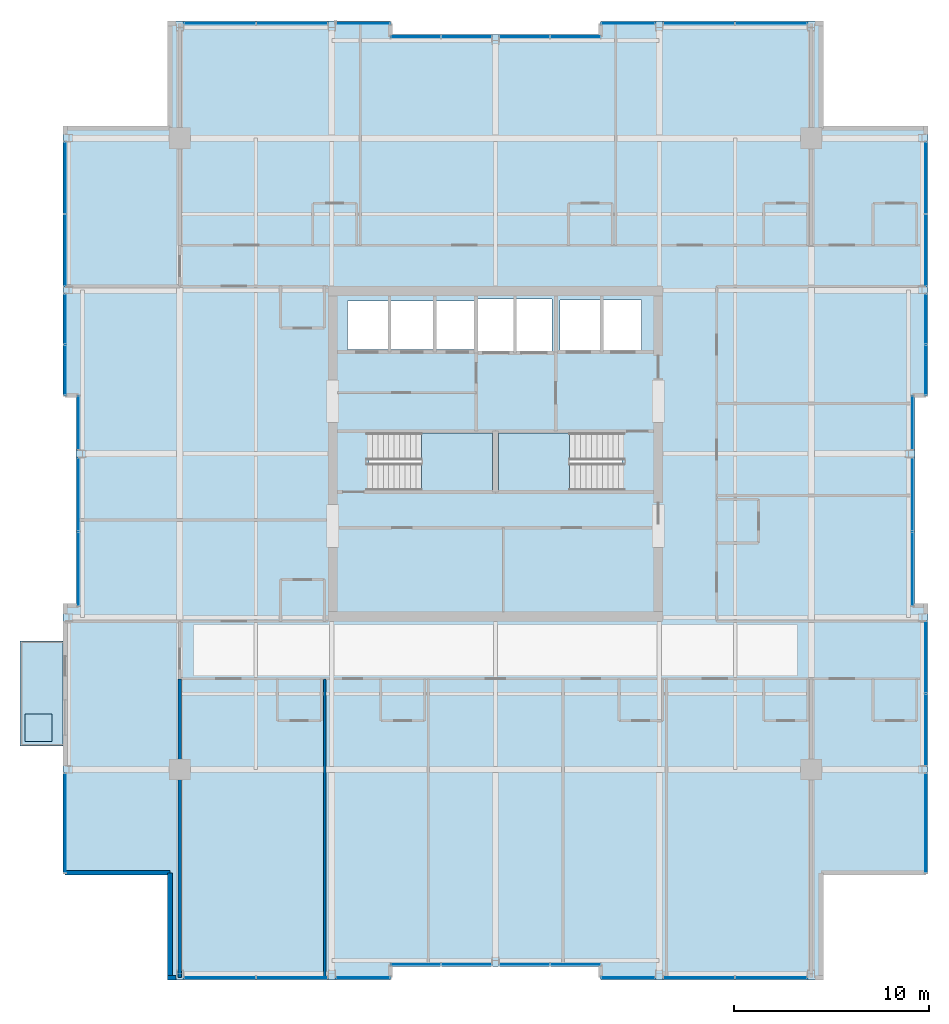
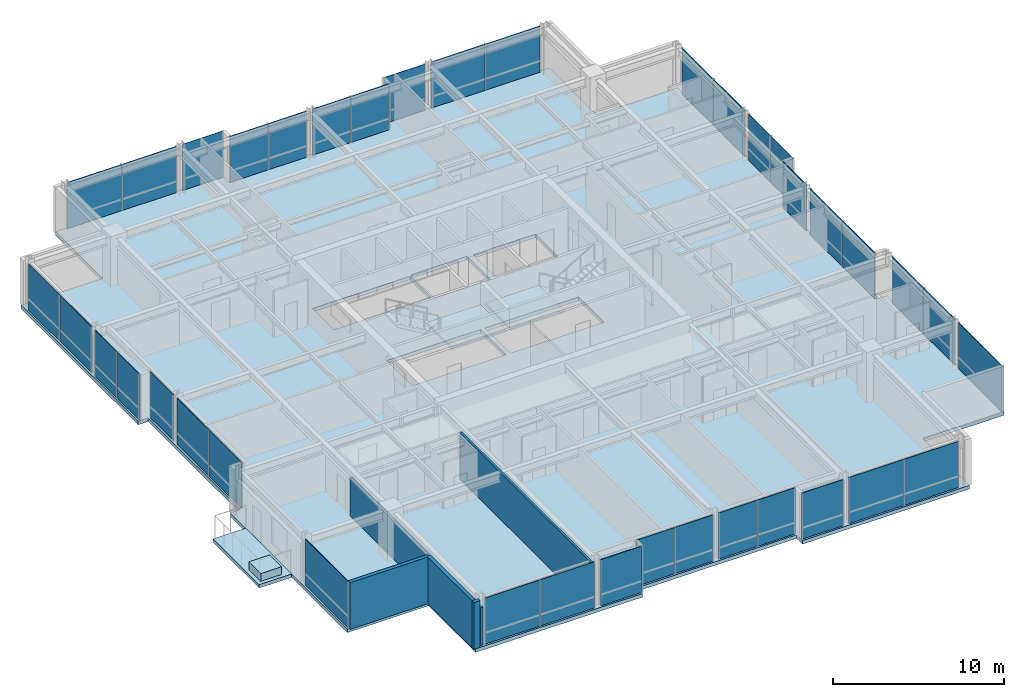
# One storey, part 25 of 31: 38 plates, 5 slabs, 5 walls, 25 elements without a shape of their own.
"""IFC4 building model written with IfcOpenShell, lengths in metres."""

from ifc_helpers import new_model, si_unit, direction, frame, frame_2d, origin, origin_2d, place, context, subcontext, project, spatial, polyline, rectangle, outline, extrude, material, layer, layer_set, type_object, element, aggregate, save


model = new_model("IFC4")

# Units and contexts
model_context = context("Model", 3, precision=1e-05, world=origin(), true_north=direction((0.0, 1.0)))
body_context = subcontext(model_context, "Body", "Model", "MODEL_VIEW")
ifc_project = project(units=[si_unit("LENGTHUNIT", "METRE"), si_unit("AREAUNIT", "SQUARE_METRE"), si_unit("VOLUMEUNIT", "CUBIC_METRE"), si_unit("PLANEANGLEUNIT", "RADIAN"), si_unit("MASSUNIT", "GRAM", prefix="KILO")], contexts=[model_context])

# Site, building, storey
site_placement = place(None, origin())
site = spatial("IfcSite", under=ifc_project, at=site_placement, CompositionType="ELEMENT")
building_placement = place(site_placement, origin())
building = spatial("IfcBuilding", under=site, at=building_placement, Name="Drelvath Grand Hotel", CompositionType="ELEMENT")
storey_placement = place(building_placement, frame((0.0, 0.0, 230.300048828125)))
storey = spatial("IfcBuildingStorey", under=building, at=storey_placement, Name="L60", CompositionType="ELEMENT", Elevation=230.300048828125)

# Slabs
ifc_material_1 = material(Name="Concrete f'c 40 MPa", Category="concrete")
ifc_layer_1 = layer(ifc_material_1, 0.239990234375)
ifc_layer_set_1 = layer_set([ifc_layer_1], Name="Concrete f'c 40 MPa")
slab_type_1 = type_object("IfcSlabType", Name="Cantilevered Tree Balcony Slab 240", PredefinedType="FLOOR", material=ifc_layer_set_1)
slab_1_placement = place(storey_placement, frame((0.0, 0.0, -0.239990234375)))
element("IfcSlab", 1, at=slab_1_placement, inside=storey, type_object=slab_type_1, Name="L60 Cantilevered Tree Balcony Slab 1", PredefinedType="FLOOR", context=body_context, shape_type="SweptSolid", body=[
    extrude(outline(polyline([(-24.39990234375, 12.0), (-22.199951171875, 12.0), (-22.199951171875, 17.39990234375), (-24.39990234375, 17.39990234375), (-24.39990234375, 12.0)])), origin(), (0.0, 0.0, 1.0), 0.239990234375),
])
ifc_layer_2 = layer(ifc_material_1, 0.260009765625)
ifc_layer_set_2 = layer_set([ifc_layer_2], Name="Concrete f'c 40 MPa")
slab_type_2 = type_object("IfcSlabType", Name="Composite RC Floor Slab 260", PredefinedType="FLOOR", material=ifc_layer_set_2)
slab_2_placement = place(storey_placement, frame((0.0, 0.0, -0.260009765625)))
element("IfcSlab", 2, at=slab_2_placement, inside=storey, type_object=slab_type_2, Name="L60 Structural Floor Slab", PredefinedType="FLOOR", context=body_context, shape_type="SweptSolid", body=[
    extrude(outline(polyline([(-16.699951171875, 0.0), (-5.39990234375, 0.0), (-5.39990234375, 0.679931640625), (5.39990234375, 0.679931640625), (5.39990234375, 0.0), (16.699951171875, 0.0), (16.699951171875, 5.5), (22.199951171875, 5.5), (22.199951171875, 19.199951171875), (21.52001953125, 19.199951171875), (21.52001953125, 30.0), (22.199951171875, 30.0), (22.199951171875, 43.699951171875), (16.699951171875, 43.699951171875), (16.699951171875, 49.199951171875), (5.39990234375, 49.199951171875), (5.39990234375, 48.52001953125), (-5.39990234375, 48.52001953125), (-5.39990234375, 49.199951171875), (-16.699951171875, 49.199951171875), (-16.699951171875, 43.699951171875), (-22.199951171875, 43.699951171875), (-22.199951171875, 30.0), (-21.52001953125, 30.0), (-21.52001953125, 19.199951171875), (-22.199951171875, 19.199951171875), (-22.199951171875, 5.5), (-16.699951171875, 5.5), (-16.699951171875, 0.0)]), holes=[polyline([(-6.47998046875, 25.1201171875), (-6.47998046875, 28.080078125), (-0.14990234375, 28.080078125), (-0.14990234375, 25.1201171875), (-6.47998046875, 25.1201171875)]), polyline([(0.14990234375, 25.1201171875), (0.14990234375, 28.080078125), (6.47998046875, 28.080078125), (6.47998046875, 25.1201171875), (0.14990234375, 25.1201171875)]), polyline([(-7.60009765625, 32.35009765625), (-7.60009765625, 34.85009765625), (-1.02001953125, 34.85009765625), (-1.02001953125, 32.35009765625), (-7.60009765625, 32.35009765625)]), polyline([(-0.89990234375, 32.25), (-0.89990234375, 34.949951171875), (2.89990234375, 34.949951171875), (2.89990234375, 32.25), (-0.89990234375, 32.25)]), polyline([(3.300048828125, 32.300048828125), (3.300048828125, 34.89990234375), (7.5, 34.89990234375), (7.5, 32.300048828125), (3.300048828125, 32.300048828125)])]), origin(), (0.0, 0.0, 1.0), 0.260009765625),
])

# Stair, slab
ifc_material_2 = material(Name="Concrete C40/50", Category="concrete")
stair_type = type_object("IfcStairType", Name="Dogleg Exit Stair W1400-R163.6", PredefinedType="HALF_TURN_STAIR", material=ifc_material_2)
stair_1_placement = place(storey_placement, origin())
stair_1 = element("IfcStair", 3, at=stair_1_placement, inside=storey, type_object=stair_type, Name="L60 Core Exit Stair ST-1", PredefinedType="HALF_TURN_STAIR")
ifc_layer_3 = layer(ifc_material_2, 0.199951171875)
ifc_layer_set_3 = layer_set([ifc_layer_3], Name="Concrete C40/50")
slab_type_3 = type_object("IfcSlabType", Name="Concrete Stair Landing Slab 200", PredefinedType="LANDING", material=ifc_layer_set_3)
slab_3_placement = place(storey_placement, frame((0.0, 0.0, 1.599853515625)))
slab_3 = element("IfcSlab", 4, at=slab_3_placement, type_object=slab_type_3, Name="ST-1 landing 1", PredefinedType="LANDING", context=body_context, shape_type="SweptSolid", body=[
    extrude(outline(polyline([(-3.800048828125, 25.1201171875), (-0.14990234375, 25.1201171875), (-0.14990234375, 28.080078125), (-3.800048828125, 28.080078125), (-3.800048828125, 25.1201171875)])), origin(), (0.0, 0.0, 1.0), 0.2001953125),
])
aggregate(stair_1, [slab_3])

stair_2_placement = place(storey_placement, origin())
stair_2 = element("IfcStair", 5, at=stair_2_placement, inside=storey, type_object=stair_type, Name="L60 Core Exit Stair ST-2", PredefinedType="HALF_TURN_STAIR")
slab_4_placement = place(storey_placement, frame((0.0, 0.0, 1.599853515625)))
slab_4 = element("IfcSlab", 6, at=slab_4_placement, type_object=slab_type_3, Name="ST-2 landing 1", PredefinedType="LANDING", context=body_context, shape_type="SweptSolid", body=[
    extrude(outline(polyline([(3.800048828125, 28.080078125), (0.14990234375, 28.080078125), (0.14990234375, 25.1201171875), (3.800048828125, 25.1201171875), (3.800048828125, 28.080078125)])), origin(), (0.0, 0.0, 1.0), 0.2001953125),
])
aggregate(stair_2, [slab_4])

# Curtain wall, plate
ifc_material_3 = material(Name="Platinum-Mist Anodised Aluminium Frame", Category="aluminium")
ifc_layer_4 = layer(ifc_material_3, 0.199951171875)
ifc_layer_set_4 = layer_set([ifc_layer_4], Name="Platinum-Mist Anodised Aluminium Frame")
curtain_wall_type = type_object("IfcCurtainWallType", Name="Stick Curtain Wall CW-05 Platinum Mist High-Rise", PredefinedType="NOTDEFINED", material=ifc_layer_set_4)
curtain_wall_1_placement = place(storey_placement, origin())
curtain_wall_1 = element("IfcCurtainWall", 7, at=curtain_wall_1_placement, inside=storey, type_object=curtain_wall_type, Name="L60 CW-05 Curtain Wall CW05-L60-WS1", PredefinedType="NOTDEFINED")
ifc_material_4 = material(Name="Low-E Triple Silver High-Altitude Glass", Category="glass")
ifc_layer_5 = layer(ifc_material_4, 0.035888671875)
ifc_layer_set_5 = layer_set([ifc_layer_5], Name="Low-E Triple Silver High-Altitude Glass")
plate_type = type_object("IfcPlateType", Name="Curtain Wall Vision Panel CW-05 36mm", PredefinedType="CURTAIN_PANEL", material=ifc_layer_set_5)
plate_1_placement = place(storey_placement, frame((-22.080078125, 8.057373046875, 0.02001953125), z_axis=(0.0, 0.0, 1.0), x_axis=(0.0, 1.0, 0.0)))
plate_1 = element("IfcPlate", 8, at=plate_1_placement, type_object=plate_type, Name="CW05-L60-WS1 Glazed Panel 1", PredefinedType="CURTAIN_PANEL", context=body_context, shape_type="SweptSolid", body=[
    extrude(rectangle(XDim=5.07470703125, YDim=0.035888671875, at=origin_2d()), origin(), (0.0, 0.0, 1.0), 3.300048828125),
])
aggregate(curtain_wall_1, [plate_1])

# Curtain wall, plates
curtain_wall_2_placement = place(storey_placement, origin())
curtain_wall_2 = element("IfcCurtainWall", 9, at=curtain_wall_2_placement, inside=storey, type_object=curtain_wall_type, Name="L60 CW-05 Curtain Wall CW05-L60-WM1", PredefinedType="NOTDEFINED")
plate_2_placement = place(storey_placement, frame((-21.39990234375, 21.103759765625, 0.02001953125), z_axis=(0.0, 0.0, 1.0), x_axis=(0.0, 1.0, 0.0)))
plate_2 = element("IfcPlate", 10, at=plate_2_placement, type_object=plate_type, Name="CW05-L60-WM1 Glazed Panel 1", PredefinedType="CURTAIN_PANEL", context=body_context, shape_type="SweptSolid", body=[
    extrude(rectangle(XDim=3.767333984375, YDim=0.035888671875, at=origin_2d()), origin(), (0.0, 0.0, 1.0), 3.300048828125),
])
plate_3_placement = place(storey_placement, frame((-21.39990234375, 24.910888671875, 0.02001953125), z_axis=(0.0, 0.0, 1.0), x_axis=(0.0, 1.0, 0.0)))
plate_3 = element("IfcPlate", 11, at=plate_3_placement, type_object=plate_type, Name="CW05-L60-WM1 Glazed Panel 2", PredefinedType="CURTAIN_PANEL", context=body_context, shape_type="SweptSolid", body=[
    extrude(rectangle(XDim=3.767333984375, YDim=0.035888671875, at=origin_2d()), origin(), (0.0, 0.0, 1.0), 3.300048828125),
])
aggregate(curtain_wall_2, [plate_2, plate_3])

# Curtain wall, plate
curtain_wall_3_placement = place(storey_placement, origin())
curtain_wall_3 = element("IfcCurtainWall", 12, at=curtain_wall_3_placement, inside=storey, type_object=curtain_wall_type, Name="L60 CW-05 Curtain Wall CW05-L60-WM2", PredefinedType="NOTDEFINED")
plate_4_placement = place(storey_placement, frame((-21.39990234375, 28.592529296875, 0.02001953125), z_axis=(0.0, 0.0, 1.0), x_axis=(0.0, 1.0, 0.0)))
plate_4 = element("IfcPlate", 13, at=plate_4_placement, type_object=plate_type, Name="CW05-L60-WM2 Glazed Panel 1", PredefinedType="CURTAIN_PANEL", context=body_context, shape_type="SweptSolid", body=[
    extrude(rectangle(XDim=2.774658203125, YDim=0.035888671875, at=origin_2d()), origin(), (0.0, 0.0, 1.0), 3.300048828125),
])
aggregate(curtain_wall_3, [plate_4])

# Curtain wall, plates
curtain_wall_4_placement = place(storey_placement, origin())
curtain_wall_4 = element("IfcCurtainWall", 14, at=curtain_wall_4_placement, inside=storey, type_object=curtain_wall_type, Name="L60 CW-05 Curtain Wall CW05-L60-WN1", PredefinedType="NOTDEFINED")
plate_5_placement = place(storey_placement, frame((-22.080078125, 31.3037109375, 0.02001953125), z_axis=(0.0, 0.0, 1.0), x_axis=(0.0, 1.0, 0.0)))
plate_5 = element("IfcPlate", 15, at=plate_5_placement, type_object=plate_type, Name="CW05-L60-WN1 Glazed Panel 1", PredefinedType="CURTAIN_PANEL", context=body_context, shape_type="SweptSolid", body=[
    extrude(rectangle(XDim=2.5673828125, YDim=0.035888671875, at=origin_2d()), origin(), (0.0, 0.0, 1.0), 3.300048828125),
])
plate_6_placement = place(storey_placement, frame((-22.080078125, 33.9111328125, 0.02001953125), z_axis=(0.0, 0.0, 1.0), x_axis=(0.0, 1.0, 0.0)))
plate_6 = element("IfcPlate", 16, at=plate_6_placement, type_object=plate_type, Name="CW05-L60-WN1 Glazed Panel 2", PredefinedType="CURTAIN_PANEL", context=body_context, shape_type="SweptSolid", body=[
    extrude(rectangle(XDim=2.5673828125, YDim=0.035888671875, at=origin_2d()), origin(), (0.0, 0.0, 1.0), 3.300048828125),
])
aggregate(curtain_wall_4, [plate_5, plate_6])

curtain_wall_5_placement = place(storey_placement, origin())
curtain_wall_5 = element("IfcCurtainWall", 17, at=curtain_wall_5_placement, inside=storey, type_object=curtain_wall_type, Name="L60 CW-05 Curtain Wall CW05-L60-WN2", PredefinedType="NOTDEFINED")
plate_7_placement = place(storey_placement, frame((-22.080078125, 37.442626953125, 0.02001953125), z_axis=(0.0, 0.0, 1.0), x_axis=(0.0, 1.0, 0.0)))
plate_7 = element("IfcPlate", 18, at=plate_7_placement, type_object=plate_type, Name="CW05-L60-WN2 Glazed Panel 1", PredefinedType="CURTAIN_PANEL", context=body_context, shape_type="SweptSolid", body=[
    extrude(rectangle(XDim=3.6748046875, YDim=0.035888671875, at=origin_2d()), origin(), (0.0, 0.0, 1.0), 3.300048828125),
])
plate_8_placement = place(storey_placement, frame((-22.080078125, 41.157470703125, 0.02001953125), z_axis=(0.0, 0.0, 1.0), x_axis=(0.0, 1.0, 0.0)))
plate_8 = element("IfcPlate", 19, at=plate_8_placement, type_object=plate_type, Name="CW05-L60-WN2 Glazed Panel 2", PredefinedType="CURTAIN_PANEL", context=body_context, shape_type="SweptSolid", body=[
    extrude(rectangle(XDim=3.6748046875, YDim=0.035888671875, at=origin_2d()), origin(), (0.0, 0.0, 1.0), 3.300048828125),
])
aggregate(curtain_wall_5, [plate_7, plate_8])

curtain_wall_6_placement = place(storey_placement, origin())
curtain_wall_6 = element("IfcCurtainWall", 20, at=curtain_wall_6_placement, inside=storey, type_object=curtain_wall_type, Name="L60 CW-05 Curtain Wall CW05-L60-EN1", PredefinedType="NOTDEFINED")
plate_9_placement = place(storey_placement, frame((22.080078125, 33.9111328125, 0.02001953125), z_axis=(0.0, 0.0, 1.0), x_axis=(0.0, -1.0, 0.0)))
plate_9 = element("IfcPlate", 21, at=plate_9_placement, type_object=plate_type, Name="CW05-L60-EN1 Glazed Panel 1", PredefinedType="CURTAIN_PANEL", context=body_context, shape_type="SweptSolid", body=[
    extrude(rectangle(XDim=2.5673828125, YDim=0.035888671875, at=origin_2d()), origin(), (0.0, 0.0, 1.0), 3.300048828125),
])
plate_10_placement = place(storey_placement, frame((22.080078125, 31.3037109375, 0.02001953125), z_axis=(0.0, 0.0, 1.0), x_axis=(0.0, -1.0, 0.0)))
plate_10 = element("IfcPlate", 22, at=plate_10_placement, type_object=plate_type, Name="CW05-L60-EN1 Glazed Panel 2", PredefinedType="CURTAIN_PANEL", context=body_context, shape_type="SweptSolid", body=[
    extrude(rectangle(XDim=2.5673828125, YDim=0.035888671875, at=origin_2d()), origin(), (0.0, 0.0, 1.0), 3.300048828125),
])
aggregate(curtain_wall_6, [plate_9, plate_10])

curtain_wall_7_placement = place(storey_placement, origin())
curtain_wall_7 = element("IfcCurtainWall", 23, at=curtain_wall_7_placement, inside=storey, type_object=curtain_wall_type, Name="L60 CW-05 Curtain Wall CW05-L60-EN2", PredefinedType="NOTDEFINED")
plate_11_placement = place(storey_placement, frame((22.080078125, 41.157470703125, 0.02001953125), z_axis=(0.0, 0.0, 1.0), x_axis=(0.0, -1.0, 0.0)))
plate_11 = element("IfcPlate", 24, at=plate_11_placement, type_object=plate_type, Name="CW05-L60-EN2 Glazed Panel 1", PredefinedType="CURTAIN_PANEL", context=body_context, shape_type="SweptSolid", body=[
    extrude(rectangle(XDim=3.6748046875, YDim=0.035888671875, at=origin_2d()), origin(), (0.0, 0.0, 1.0), 3.300048828125),
])
plate_12_placement = place(storey_placement, frame((22.080078125, 37.442626953125, 0.02001953125), z_axis=(0.0, 0.0, 1.0), x_axis=(0.0, -1.0, 0.0)))
plate_12 = element("IfcPlate", 25, at=plate_12_placement, type_object=plate_type, Name="CW05-L60-EN2 Glazed Panel 2", PredefinedType="CURTAIN_PANEL", context=body_context, shape_type="SweptSolid", body=[
    extrude(rectangle(XDim=3.6748046875, YDim=0.035888671875, at=origin_2d()), origin(), (0.0, 0.0, 1.0), 3.300048828125),
])
aggregate(curtain_wall_7, [plate_11, plate_12])

curtain_wall_8_placement = place(storey_placement, origin())
curtain_wall_8 = element("IfcCurtainWall", 26, at=curtain_wall_8_placement, inside=storey, type_object=curtain_wall_type, Name="L60 CW-05 Curtain Wall CW05-L60-EM1", PredefinedType="NOTDEFINED")
plate_13_placement = place(storey_placement, frame((21.39990234375, 24.910888671875, 0.02001953125), z_axis=(0.0, 0.0, 1.0), x_axis=(0.0, -1.0, 0.0)))
plate_13 = element("IfcPlate", 27, at=plate_13_placement, type_object=plate_type, Name="CW05-L60-EM1 Glazed Panel 1", PredefinedType="CURTAIN_PANEL", context=body_context, shape_type="SweptSolid", body=[
    extrude(rectangle(XDim=3.767333984375, YDim=0.035888671875, at=origin_2d()), origin(), (0.0, 0.0, 1.0), 3.300048828125),
])
plate_14_placement = place(storey_placement, frame((21.39990234375, 21.103759765625, 0.02001953125), z_axis=(0.0, 0.0, 1.0), x_axis=(0.0, -1.0, 0.0)))
plate_14 = element("IfcPlate", 28, at=plate_14_placement, type_object=plate_type, Name="CW05-L60-EM1 Glazed Panel 2", PredefinedType="CURTAIN_PANEL", context=body_context, shape_type="SweptSolid", body=[
    extrude(rectangle(XDim=3.767333984375, YDim=0.035888671875, at=origin_2d()), origin(), (0.0, 0.0, 1.0), 3.300048828125),
])
aggregate(curtain_wall_8, [plate_13, plate_14])

# Curtain wall, plate
curtain_wall_9_placement = place(storey_placement, origin())
curtain_wall_9 = element("IfcCurtainWall", 29, at=curtain_wall_9_placement, inside=storey, type_object=curtain_wall_type, Name="L60 CW-05 Curtain Wall CW05-L60-EM2", PredefinedType="NOTDEFINED")
plate_15_placement = place(storey_placement, frame((21.39990234375, 28.592529296875, 0.02001953125), z_axis=(0.0, 0.0, 1.0), x_axis=(0.0, -1.0, 0.0)))
plate_15 = element("IfcPlate", 30, at=plate_15_placement, type_object=plate_type, Name="CW05-L60-EM2 Glazed Panel 1", PredefinedType="CURTAIN_PANEL", context=body_context, shape_type="SweptSolid", body=[
    extrude(rectangle(XDim=2.774658203125, YDim=0.035888671875, at=origin_2d()), origin(), (0.0, 0.0, 1.0), 3.300048828125),
])
aggregate(curtain_wall_9, [plate_15])

curtain_wall_10_placement = place(storey_placement, origin())
curtain_wall_10 = element("IfcCurtainWall", 31, at=curtain_wall_10_placement, inside=storey, type_object=curtain_wall_type, Name="L60 CW-05 Curtain Wall CW05-L60-ES1", PredefinedType="NOTDEFINED")
plate_16_placement = place(storey_placement, frame((22.080078125, 8.057373046875, 0.02001953125), z_axis=(0.0, 0.0, 1.0), x_axis=(0.0, -1.0, 0.0)))
plate_16 = element("IfcPlate", 32, at=plate_16_placement, type_object=plate_type, Name="CW05-L60-ES1 Glazed Panel 1", PredefinedType="CURTAIN_PANEL", context=body_context, shape_type="SweptSolid", body=[
    extrude(rectangle(XDim=5.07470703125, YDim=0.035888671875, at=origin_2d()), origin(), (0.0, 0.0, 1.0), 3.300048828125),
])
aggregate(curtain_wall_10, [plate_16])

# Curtain wall, plates
curtain_wall_11_placement = place(storey_placement, origin())
curtain_wall_11 = element("IfcCurtainWall", 33, at=curtain_wall_11_placement, inside=storey, type_object=curtain_wall_type, Name="L60 CW-05 Curtain Wall CW05-L60-ES2", PredefinedType="NOTDEFINED")
plate_17_placement = place(storey_placement, frame((22.080078125, 16.557373046875, 0.02001953125), z_axis=(0.0, 0.0, 1.0), x_axis=(0.0, -1.0, 0.0)))
plate_17 = element("IfcPlate", 34, at=plate_17_placement, type_object=plate_type, Name="CW05-L60-ES2 Glazed Panel 1", PredefinedType="CURTAIN_PANEL", context=body_context, shape_type="SweptSolid", body=[
    extrude(rectangle(XDim=3.6748046875, YDim=0.035888671875, at=origin_2d()), origin(), (0.0, 0.0, 1.0), 3.300048828125),
])
plate_18_placement = place(storey_placement, frame((22.080078125, 12.842529296875, 0.02001953125), z_axis=(0.0, 0.0, 1.0), x_axis=(0.0, -1.0, 0.0)))
plate_18 = element("IfcPlate", 35, at=plate_18_placement, type_object=plate_type, Name="CW05-L60-ES2 Glazed Panel 2", PredefinedType="CURTAIN_PANEL", context=body_context, shape_type="SweptSolid", body=[
    extrude(rectangle(XDim=3.6748046875, YDim=0.035888671875, at=origin_2d()), origin(), (0.0, 0.0, 1.0), 3.300048828125),
])
aggregate(curtain_wall_11, [plate_17, plate_18])

curtain_wall_12_placement = place(storey_placement, origin())
curtain_wall_12 = element("IfcCurtainWall", 36, at=curtain_wall_12_placement, inside=storey, type_object=curtain_wall_type, Name="L60 CW-05 Curtain Wall CW05-L60-NW2", PredefinedType="NOTDEFINED")
plate_19_placement = place(storey_placement, frame((-14.157470703125, 49.080078125, 0.02001953125), z_axis=(0.0, 0.0, 1.0), x_axis=(1.0, 0.0, 0.0)))
plate_19 = element("IfcPlate", 37, at=plate_19_placement, type_object=plate_type, Name="CW05-L60-NW2 Glazed Panel 1", PredefinedType="CURTAIN_PANEL", context=body_context, shape_type="SweptSolid", body=[
    extrude(rectangle(XDim=3.6748046875, YDim=0.035888671875, at=origin_2d()), origin(), (0.0, 0.0, 1.0), 3.300048828125),
])
plate_20_placement = place(storey_placement, frame((-10.442626953125, 49.080078125, 0.02001953125), z_axis=(0.0, 0.0, 1.0), x_axis=(1.0, 0.0, 0.0)))
plate_20 = element("IfcPlate", 38, at=plate_20_placement, type_object=plate_type, Name="CW05-L60-NW2 Glazed Panel 2", PredefinedType="CURTAIN_PANEL", context=body_context, shape_type="SweptSolid", body=[
    extrude(rectangle(XDim=3.6748046875, YDim=0.035888671875, at=origin_2d()), origin(), (0.0, 0.0, 1.0), 3.300048828125),
])
aggregate(curtain_wall_12, [plate_19, plate_20])

# Curtain wall, plate
curtain_wall_13_placement = place(storey_placement, origin())
curtain_wall_13 = element("IfcCurtainWall", 39, at=curtain_wall_13_placement, inside=storey, type_object=curtain_wall_type, Name="L60 CW-05 Curtain Wall CW05-L60-NW3", PredefinedType="NOTDEFINED")
plate_21_placement = place(storey_placement, frame((-6.807373046875, 49.080078125, 0.02001953125), z_axis=(0.0, 0.0, 1.0), x_axis=(1.0, 0.0, 0.0)))
plate_21 = element("IfcPlate", 40, at=plate_21_placement, type_object=plate_type, Name="CW05-L60-NW3 Glazed Panel 1", PredefinedType="CURTAIN_PANEL", context=body_context, shape_type="SweptSolid", body=[
    extrude(rectangle(XDim=2.774658203125, YDim=0.035888671875, at=origin_2d()), origin(), (0.0, 0.0, 1.0), 3.300048828125),
])
aggregate(curtain_wall_13, [plate_21])

# Curtain wall, plates
curtain_wall_14_placement = place(storey_placement, origin())
curtain_wall_14 = element("IfcCurtainWall", 41, at=curtain_wall_14_placement, inside=storey, type_object=curtain_wall_type, Name="L60 CW-05 Curtain Wall CW05-L60-NM1", PredefinedType="NOTDEFINED")
plate_22_placement = place(storey_placement, frame((-4.096435546875, 48.39990234375, 0.02001953125), z_axis=(0.0, 0.0, 1.0), x_axis=(1.0, 0.0, 0.0)))
plate_22 = element("IfcPlate", 42, at=plate_22_placement, type_object=plate_type, Name="CW05-L60-NM1 Glazed Panel 1", PredefinedType="CURTAIN_PANEL", context=body_context, shape_type="SweptSolid", body=[
    extrude(rectangle(XDim=2.5673828125, YDim=0.035888671875, at=origin_2d()), origin(), (0.0, 0.0, 1.0), 3.300048828125),
])
plate_23_placement = place(storey_placement, frame((-1.489013671875, 48.39990234375, 0.02001953125), z_axis=(0.0, 0.0, 1.0), x_axis=(1.0, 0.0, 0.0)))
plate_23 = element("IfcPlate", 43, at=plate_23_placement, type_object=plate_type, Name="CW05-L60-NM1 Glazed Panel 2", PredefinedType="CURTAIN_PANEL", context=body_context, shape_type="SweptSolid", body=[
    extrude(rectangle(XDim=2.5673828125, YDim=0.035888671875, at=origin_2d()), origin(), (0.0, 0.0, 1.0), 3.300048828125),
])
aggregate(curtain_wall_14, [plate_22, plate_23])

curtain_wall_15_placement = place(storey_placement, origin())
curtain_wall_15 = element("IfcCurtainWall", 44, at=curtain_wall_15_placement, inside=storey, type_object=curtain_wall_type, Name="L60 CW-05 Curtain Wall CW05-L60-NM2", PredefinedType="NOTDEFINED")
plate_24_placement = place(storey_placement, frame((1.489013671875, 48.39990234375, 0.02001953125), z_axis=(0.0, 0.0, 1.0), x_axis=(1.0, 0.0, 0.0)))
plate_24 = element("IfcPlate", 45, at=plate_24_placement, type_object=plate_type, Name="CW05-L60-NM2 Glazed Panel 1", PredefinedType="CURTAIN_PANEL", context=body_context, shape_type="SweptSolid", body=[
    extrude(rectangle(XDim=2.5673828125, YDim=0.035888671875, at=origin_2d()), origin(), (0.0, 0.0, 1.0), 3.300048828125),
])
plate_25_placement = place(storey_placement, frame((4.096435546875, 48.39990234375, 0.02001953125), z_axis=(0.0, 0.0, 1.0), x_axis=(1.0, 0.0, 0.0)))
plate_25 = element("IfcPlate", 46, at=plate_25_placement, type_object=plate_type, Name="CW05-L60-NM2 Glazed Panel 2", PredefinedType="CURTAIN_PANEL", context=body_context, shape_type="SweptSolid", body=[
    extrude(rectangle(XDim=2.5673828125, YDim=0.035888671875, at=origin_2d()), origin(), (0.0, 0.0, 1.0), 3.300048828125),
])
aggregate(curtain_wall_15, [plate_24, plate_25])

# Curtain wall, plate
curtain_wall_16_placement = place(storey_placement, origin())
curtain_wall_16 = element("IfcCurtainWall", 47, at=curtain_wall_16_placement, inside=storey, type_object=curtain_wall_type, Name="L60 CW-05 Curtain Wall CW05-L60-NE1", PredefinedType="NOTDEFINED")
plate_26_placement = place(storey_placement, frame((6.807373046875, 49.080078125, 0.02001953125), z_axis=(0.0, 0.0, 1.0), x_axis=(1.0, 0.0, 0.0)))
plate_26 = element("IfcPlate", 48, at=plate_26_placement, type_object=plate_type, Name="CW05-L60-NE1 Glazed Panel 1", PredefinedType="CURTAIN_PANEL", context=body_context, shape_type="SweptSolid", body=[
    extrude(rectangle(XDim=2.774658203125, YDim=0.035888671875, at=origin_2d()), origin(), (0.0, 0.0, 1.0), 3.300048828125),
])
aggregate(curtain_wall_16, [plate_26])

# Curtain wall, plates
curtain_wall_17_placement = place(storey_placement, origin())
curtain_wall_17 = element("IfcCurtainWall", 49, at=curtain_wall_17_placement, inside=storey, type_object=curtain_wall_type, Name="L60 CW-05 Curtain Wall CW05-L60-NE2", PredefinedType="NOTDEFINED")
plate_27_placement = place(storey_placement, frame((10.442626953125, 49.080078125, 0.02001953125), z_axis=(0.0, 0.0, 1.0), x_axis=(1.0, 0.0, 0.0)))
plate_27 = element("IfcPlate", 50, at=plate_27_placement, type_object=plate_type, Name="CW05-L60-NE2 Glazed Panel 1", PredefinedType="CURTAIN_PANEL", context=body_context, shape_type="SweptSolid", body=[
    extrude(rectangle(XDim=3.6748046875, YDim=0.035888671875, at=origin_2d()), origin(), (0.0, 0.0, 1.0), 3.300048828125),
])
plate_28_placement = place(storey_placement, frame((14.157470703125, 49.080078125, 0.02001953125), z_axis=(0.0, 0.0, 1.0), x_axis=(1.0, 0.0, 0.0)))
plate_28 = element("IfcPlate", 51, at=plate_28_placement, type_object=plate_type, Name="CW05-L60-NE2 Glazed Panel 2", PredefinedType="CURTAIN_PANEL", context=body_context, shape_type="SweptSolid", body=[
    extrude(rectangle(XDim=3.6748046875, YDim=0.035888671875, at=origin_2d()), origin(), (0.0, 0.0, 1.0), 3.300048828125),
])
aggregate(curtain_wall_17, [plate_27, plate_28])

# Curtain wall, plate
curtain_wall_18_placement = place(storey_placement, origin())
curtain_wall_18 = element("IfcCurtainWall", 52, at=curtain_wall_18_placement, inside=storey, type_object=curtain_wall_type, Name="L60 CW-05 Curtain Wall CW05-L60-SE1", PredefinedType="NOTDEFINED")
plate_29_placement = place(storey_placement, frame((6.807373046875, 0.1201171875, 0.02001953125), z_axis=(0.0, 0.0, 1.0), x_axis=(-1.0, 0.0, 0.0)))
plate_29 = element("IfcPlate", 53, at=plate_29_placement, type_object=plate_type, Name="CW05-L60-SE1 Glazed Panel 1", PredefinedType="CURTAIN_PANEL", context=body_context, shape_type="SweptSolid", body=[
    extrude(rectangle(XDim=2.774658203125, YDim=0.035888671875, at=origin_2d()), origin(), (0.0, 0.0, 1.0), 3.300048828125),
])
aggregate(curtain_wall_18, [plate_29])

# Curtain wall, plates
curtain_wall_19_placement = place(storey_placement, origin())
curtain_wall_19 = element("IfcCurtainWall", 54, at=curtain_wall_19_placement, inside=storey, type_object=curtain_wall_type, Name="L60 CW-05 Curtain Wall CW05-L60-SE2", PredefinedType="NOTDEFINED")
plate_30_placement = place(storey_placement, frame((14.157470703125, 0.1201171875, 0.02001953125), z_axis=(0.0, 0.0, 1.0), x_axis=(-1.0, 0.0, 0.0)))
plate_30 = element("IfcPlate", 55, at=plate_30_placement, type_object=plate_type, Name="CW05-L60-SE2 Glazed Panel 1", PredefinedType="CURTAIN_PANEL", context=body_context, shape_type="SweptSolid", body=[
    extrude(rectangle(XDim=3.6748046875, YDim=0.035888671875, at=origin_2d()), origin(), (0.0, 0.0, 1.0), 3.300048828125),
])
plate_31_placement = place(storey_placement, frame((10.442626953125, 0.1201171875, 0.02001953125), z_axis=(0.0, 0.0, 1.0), x_axis=(-1.0, 0.0, 0.0)))
plate_31 = element("IfcPlate", 56, at=plate_31_placement, type_object=plate_type, Name="CW05-L60-SE2 Glazed Panel 2", PredefinedType="CURTAIN_PANEL", context=body_context, shape_type="SweptSolid", body=[
    extrude(rectangle(XDim=3.6748046875, YDim=0.035888671875, at=origin_2d()), origin(), (0.0, 0.0, 1.0), 3.300048828125),
])
aggregate(curtain_wall_19, [plate_30, plate_31])

curtain_wall_20_placement = place(storey_placement, origin())
curtain_wall_20 = element("IfcCurtainWall", 57, at=curtain_wall_20_placement, inside=storey, type_object=curtain_wall_type, Name="L60 CW-05 Curtain Wall CW05-L60-SM1", PredefinedType="NOTDEFINED")
plate_32_placement = place(storey_placement, frame((-1.489013671875, 0.800048828125, 0.02001953125), z_axis=(0.0, 0.0, 1.0), x_axis=(-1.0, 0.0, 0.0)))
plate_32 = element("IfcPlate", 58, at=plate_32_placement, type_object=plate_type, Name="CW05-L60-SM1 Glazed Panel 1", PredefinedType="CURTAIN_PANEL", context=body_context, shape_type="SweptSolid", body=[
    extrude(rectangle(XDim=2.5673828125, YDim=0.035888671875, at=origin_2d()), origin(), (0.0, 0.0, 1.0), 3.300048828125),
])
plate_33_placement = place(storey_placement, frame((-4.096435546875, 0.800048828125, 0.02001953125), z_axis=(0.0, 0.0, 1.0), x_axis=(-1.0, 0.0, 0.0)))
plate_33 = element("IfcPlate", 59, at=plate_33_placement, type_object=plate_type, Name="CW05-L60-SM1 Glazed Panel 2", PredefinedType="CURTAIN_PANEL", context=body_context, shape_type="SweptSolid", body=[
    extrude(rectangle(XDim=2.5673828125, YDim=0.035888671875, at=origin_2d()), origin(), (0.0, 0.0, 1.0), 3.300048828125),
])
aggregate(curtain_wall_20, [plate_32, plate_33])

curtain_wall_21_placement = place(storey_placement, origin())
curtain_wall_21 = element("IfcCurtainWall", 60, at=curtain_wall_21_placement, inside=storey, type_object=curtain_wall_type, Name="L60 CW-05 Curtain Wall CW05-L60-SM2", PredefinedType="NOTDEFINED")
plate_34_placement = place(storey_placement, frame((4.096435546875, 0.800048828125, 0.02001953125), z_axis=(0.0, 0.0, 1.0), x_axis=(-1.0, 0.0, 0.0)))
plate_34 = element("IfcPlate", 61, at=plate_34_placement, type_object=plate_type, Name="CW05-L60-SM2 Glazed Panel 1", PredefinedType="CURTAIN_PANEL", context=body_context, shape_type="SweptSolid", body=[
    extrude(rectangle(XDim=2.5673828125, YDim=0.035888671875, at=origin_2d()), origin(), (0.0, 0.0, 1.0), 3.300048828125),
])
plate_35_placement = place(storey_placement, frame((1.489013671875, 0.800048828125, 0.02001953125), z_axis=(0.0, 0.0, 1.0), x_axis=(-1.0, 0.0, 0.0)))
plate_35 = element("IfcPlate", 62, at=plate_35_placement, type_object=plate_type, Name="CW05-L60-SM2 Glazed Panel 2", PredefinedType="CURTAIN_PANEL", context=body_context, shape_type="SweptSolid", body=[
    extrude(rectangle(XDim=2.5673828125, YDim=0.035888671875, at=origin_2d()), origin(), (0.0, 0.0, 1.0), 3.300048828125),
])
aggregate(curtain_wall_21, [plate_34, plate_35])

curtain_wall_22_placement = place(storey_placement, origin())
curtain_wall_22 = element("IfcCurtainWall", 63, at=curtain_wall_22_placement, inside=storey, type_object=curtain_wall_type, Name="L60 CW-05 Curtain Wall CW05-L60-SW2", PredefinedType="NOTDEFINED")
plate_36_placement = place(storey_placement, frame((-10.442626953125, 0.1201171875, 0.02001953125), z_axis=(0.0, 0.0, 1.0), x_axis=(-1.0, 0.0, 0.0)))
plate_36 = element("IfcPlate", 64, at=plate_36_placement, type_object=plate_type, Name="CW05-L60-SW2 Glazed Panel 1", PredefinedType="CURTAIN_PANEL", context=body_context, shape_type="SweptSolid", body=[
    extrude(rectangle(XDim=3.6748046875, YDim=0.035888671875, at=origin_2d()), origin(), (0.0, 0.0, 1.0), 3.300048828125),
])
plate_37_placement = place(storey_placement, frame((-14.157470703125, 0.1201171875, 0.02001953125), z_axis=(0.0, 0.0, 1.0), x_axis=(-1.0, 0.0, 0.0)))
plate_37 = element("IfcPlate", 65, at=plate_37_placement, type_object=plate_type, Name="CW05-L60-SW2 Glazed Panel 2", PredefinedType="CURTAIN_PANEL", context=body_context, shape_type="SweptSolid", body=[
    extrude(rectangle(XDim=3.6748046875, YDim=0.035888671875, at=origin_2d()), origin(), (0.0, 0.0, 1.0), 3.300048828125),
])
aggregate(curtain_wall_22, [plate_36, plate_37])

# Curtain wall, plate
curtain_wall_23_placement = place(storey_placement, origin())
curtain_wall_23 = element("IfcCurtainWall", 66, at=curtain_wall_23_placement, inside=storey, type_object=curtain_wall_type, Name="L60 CW-05 Curtain Wall CW05-L60-SW3", PredefinedType="NOTDEFINED")
plate_38_placement = place(storey_placement, frame((-6.807373046875, 0.1201171875, 0.02001953125), z_axis=(0.0, 0.0, 1.0), x_axis=(-1.0, 0.0, 0.0)))
plate_38 = element("IfcPlate", 67, at=plate_38_placement, type_object=plate_type, Name="CW05-L60-SW3 Glazed Panel 1", PredefinedType="CURTAIN_PANEL", context=body_context, shape_type="SweptSolid", body=[
    extrude(rectangle(XDim=2.774658203125, YDim=0.035888671875, at=origin_2d()), origin(), (0.0, 0.0, 1.0), 3.300048828125),
])
aggregate(curtain_wall_23, [plate_38])

# Slab
ifc_layer_6 = layer(ifc_material_1, 0.550048828125)
ifc_layer_set_6 = layer_set([ifc_layer_6], Name="Concrete f'c 40 MPa")
slab_type_4 = type_object("IfcSlabType", Name="Structural Tree Planter Box 550", PredefinedType="USERDEFINED", material=ifc_layer_set_6)
slab_5_placement = place(storey_placement, origin())
element("IfcSlab", 68, at=slab_5_placement, inside=storey, type_object=slab_type_4, Name="L60 Tree Balcony Structural Planter 1", ObjectType="PLANTER", PredefinedType="USERDEFINED", context=body_context, shape_type="SweptSolid", body=[
    extrude(outline(polyline([(-24.14990234375, 12.25), (-22.75, 12.25), (-22.75, 13.64990234375), (-24.14990234375, 13.64990234375), (-24.14990234375, 12.25)])), origin(), (0.0, 0.0, 1.0), 0.550048828125),
])

# Walls
ifc_material_5 = material(Name="Gypsum Acoustic Partition")
ifc_layer_7 = layer(ifc_material_5, 0.14990234375)
ifc_layer_set_7 = layer_set([ifc_layer_7], Name="Gypsum Acoustic Partition")
wall_type_1 = type_object("IfcWallType", Name="Guestroom Demising Wall 150", PredefinedType="PARTITIONING", material=ifc_layer_set_7)
wall_1_placement = place(storey_placement, frame((-8.763916015625, 0.1201171875, 0.0), z_axis=(0.0, 0.0, 1.0), x_axis=(0.0, 1.0, 0.0)))
element("IfcWall", 69, at=wall_1_placement, inside=storey, type_object=wall_type_1, Name="L60 South Demising 1", PredefinedType="PARTITIONING", context=body_context, shape_type="SweptSolid", body=[
    extrude(rectangle(XDim=15.329833984375, YDim=0.14990234375, at=frame_2d((7.6650390625, 0.0))), origin(), (0.0, 0.0, 1.0), 3.33984375),
])
ifc_layer_8 = layer(ifc_material_5, 0.1650390625)
ifc_layer_set_8 = layer_set([ifc_layer_8], Name="Gypsum Acoustic Partition")
wall_type_2 = type_object("IfcWallType", Name="Suite Demising Wall 165", PredefinedType="PARTITIONING", material=ifc_layer_set_8)
wall_2_placement = place(storey_placement, frame((-16.199951171875, 0.1201171875, 0.0), z_axis=(0.0, 0.0, 1.0), x_axis=(0.0, 1.0, 0.0)))
element("IfcWall", 70, at=wall_2_placement, inside=storey, type_object=wall_type_2, Name="L60 SW Suite Wall", PredefinedType="PARTITIONING", context=body_context, shape_type="SweptSolid", body=[
    extrude(rectangle(XDim=15.329833984375, YDim=0.1650390625, at=frame_2d((7.6650390625, 0.0))), origin(), (0.0, 0.0, 1.0), 2.7138671875),
])
ifc_material_6 = material(Name="Pale-Metal Insulated Aluminium Spandrel Assembly", Category="aluminium")
ifc_layer_9 = layer(ifc_material_6, 0.239990234375)
ifc_layer_set_9 = layer_set([ifc_layer_9], Name="Pale-Metal Insulated Aluminium Spandrel Assembly")
wall_type_3 = type_object("IfcWallType", Name="Tower Insulated Metal Spandrel Closure Wall 240", PredefinedType="STANDARD", material=ifc_layer_set_9)
wall_3_placement = place(storey_placement, frame((-16.38525390625, 0.1201171875, 0.0), z_axis=(0.0, 0.0, 1.0), x_axis=(-1.0, 0.0, 0.0)))
element("IfcWall", 71, at=wall_3_placement, inside=storey, type_object=wall_type_3, Name="L60 Corner Pier Spandrel Wall SW1", PredefinedType="STANDARD", context=body_context, shape_type="SweptSolid", body=[
    extrude(rectangle(XDim=0.434814453125, YDim=0.239990234375, at=frame_2d((0.21728515625, 0.0))), origin(), (0.0, 0.0, 1.0), 3.33984375),
])
wall_4_placement = place(storey_placement, frame((-16.699951171875, 0.239990234375, 0.0), z_axis=(0.0, 0.0, 1.0), x_axis=(0.0, 1.0, 0.0)))
element("IfcWall", 72, at=wall_4_placement, inside=storey, type_object=wall_type_3, Name="L60 Notched Corner Return Spandrel Wall CSW1", PredefinedType="STANDARD", context=body_context, shape_type="SweptSolid", body=[
    extrude(rectangle(XDim=5.260009765625, YDim=0.239990234375, at=frame_2d((2.6298828125, 0.0))), origin(), (0.0, 0.0, 1.0), 3.33984375),
])
wall_5_placement = place(storey_placement, frame((-16.699951171875, 5.5, 0.0), z_axis=(0.0, 0.0, 1.0), x_axis=(-1.0, 0.0, 0.0)))
element("IfcWall", 73, at=wall_5_placement, inside=storey, type_object=wall_type_3, Name="L60 Notched Corner Return Spandrel Wall CSW2", PredefinedType="STANDARD", context=body_context, shape_type="SweptSolid", body=[
    extrude(rectangle(XDim=5.380126953125, YDim=0.239990234375, at=frame_2d((2.68994140625, 0.0))), origin(), (0.0, 0.0, 1.0), 3.33984375),
])

save(model, "model.ifc")
